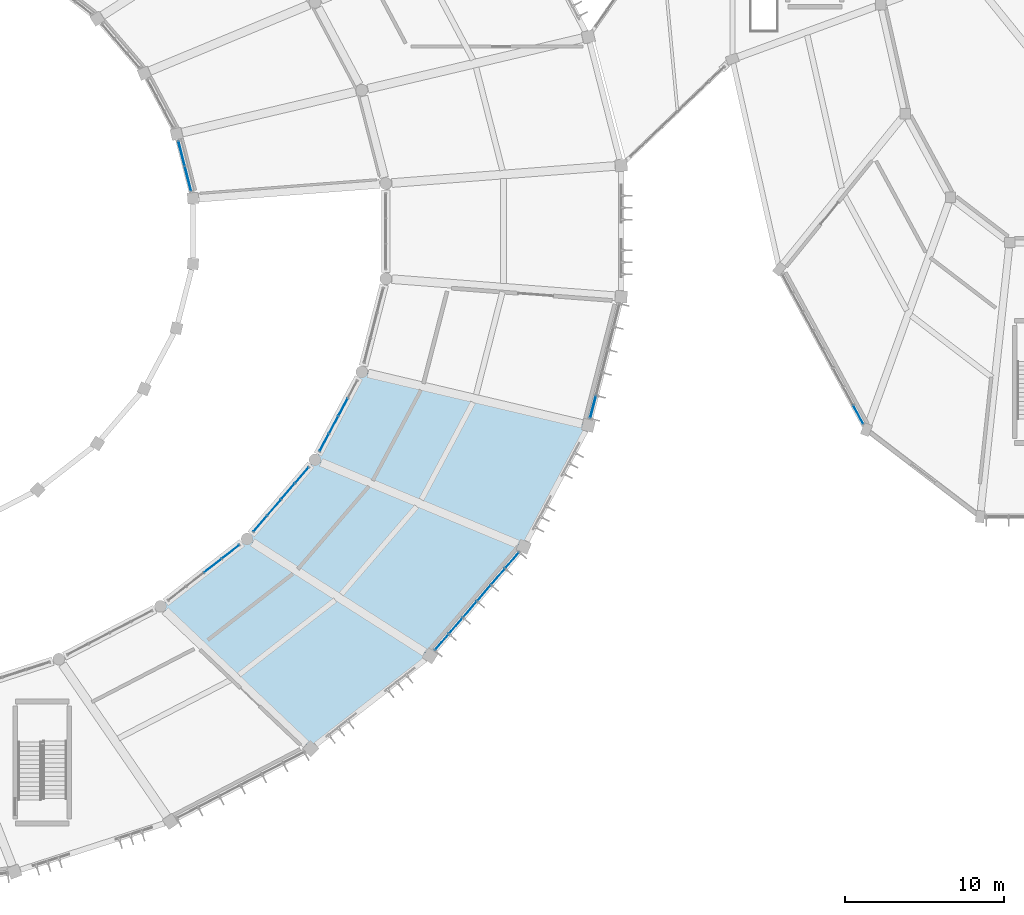
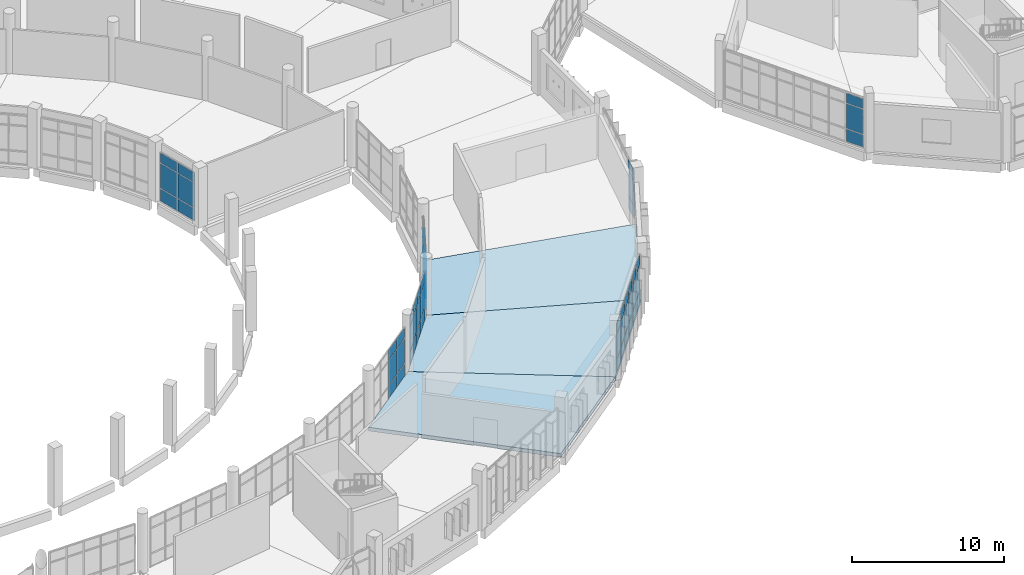
# One storey, part 97 of 179: 57 plates, 3 slabs, 7 elements without a shape of their own.
"""IFC4 building model written with IfcOpenShell, lengths in metres."""

from ifc_helpers import new_model, si_unit, direction, frame, origin, origin_2d, place, context, subcontext, project, spatial, polyline, rectangle, outline, extrude, material, layer, layer_set, type_object, element, aggregate, save


model = new_model("IFC4")

# Units and contexts
model_context = context("Model", 3, precision=1e-05, world=origin(), true_north=direction((0.0, 1.0)))
body_context = subcontext(model_context, "Body", "Model", "MODEL_VIEW")
ifc_project = project(units=[si_unit("LENGTHUNIT", "METRE"), si_unit("AREAUNIT", "SQUARE_METRE"), si_unit("VOLUMEUNIT", "CUBIC_METRE"), si_unit("PLANEANGLEUNIT", "RADIAN"), si_unit("MASSUNIT", "GRAM", prefix="KILO")], contexts=[model_context])

# Site, building, storey
site_placement = place(None, origin())
site = spatial("IfcSite", under=ifc_project, at=site_placement, CompositionType="ELEMENT")
building_placement = place(site_placement, origin())
building = spatial("IfcBuilding", under=site, at=building_placement, Name="Corvandel Quay Wholesale Market", CompositionType="ELEMENT")
storey_placement = place(building_placement, frame((0.0, 0.0, 6.0)))
storey = spatial("IfcBuildingStorey", under=building, at=storey_placement, Name="L01", CompositionType="ELEMENT", Elevation=6.0)

# Curtain wall, plates
ifc_material_1 = material(Name="Bronze anodised aluminium and low-E insulated glazing", Category="aluminium")
ifc_layer_1 = layer(ifc_material_1, 0.14990234375)
ifc_layer_set_1 = layer_set([ifc_layer_1], Name="Bronze anodised aluminium and low-E insulated glazing")
curtain_wall_type_1 = type_object("IfcCurtainWallType", Name="Stick Curtain Wall System CW15 H4350", PredefinedType="NOTDEFINED", material=ifc_layer_set_1)
curtain_wall_1_placement = place(storey_placement, origin())
curtain_wall_1 = element("IfcCurtainWall", 1, at=curtain_wall_1_placement, inside=storey, type_object=curtain_wall_type_1, Name="Curtain Wall CW-0001", PredefinedType="NOTDEFINED")
ifc_material_2 = material(Name="Solar-control low-E insulated glazing", Category="glass")
ifc_layer_2 = layer(ifc_material_2, 0.033935546875)
ifc_layer_set_2 = layer_set([ifc_layer_2], Name="Solar-control low-E insulated glazing")
plate_type_1 = type_object("IfcPlateType", Name="Acoustic Laminated Vision Panel PN02 34mm", PredefinedType="CURTAIN_PANEL", material=ifc_layer_set_2)
plate_1_placement = place(storey_placement, frame((140.68359375, 45.30517578125, 0.02978515625), z_axis=(0.0, 0.0, 1.0), x_axis=(-0.247844544316, 0.968799815159, 0.0)))
plate_1 = element("IfcPlate", 2, at=plate_1_placement, type_object=plate_type_1, Name="Glazing Panel CW-0001-P00-0", PredefinedType="CURTAIN_PANEL", context=body_context, shape_type="SweptSolid", body=[
    extrude(rectangle(XDim=1.56884765625, YDim=0.033935546875, at=origin_2d()), origin(), (0.0, 0.0, 1.0), 0.989990234375),
])
plate_2_placement = place(storey_placement, frame((140.68359375, 45.30517578125, 1.080078125), z_axis=(0.0, 0.0, 1.0), x_axis=(-0.247844544316, 0.968799815159, 0.0)))
plate_2 = element("IfcPlate", 3, at=plate_2_placement, type_object=plate_type_1, Name="Glazing Panel CW-0001-P00-1", PredefinedType="CURTAIN_PANEL", context=body_context, shape_type="SweptSolid", body=[
    extrude(rectangle(XDim=1.56884765625, YDim=0.033935546875, at=origin_2d()), origin(), (0.0, 0.0, 1.0), 1.989990234375),
])
plate_3_placement = place(storey_placement, frame((140.278564453125, 46.887939453125, 0.02978515625), z_axis=(0.0, 0.0, 1.0), x_axis=(-0.247844544316, 0.968799815159, 0.0)))
plate_3 = element("IfcPlate", 4, at=plate_3_placement, type_object=plate_type_1, Name="Glazing Panel CW-0001-P01-0", PredefinedType="CURTAIN_PANEL", context=body_context, shape_type="SweptSolid", body=[
    extrude(rectangle(XDim=1.56884765625, YDim=0.033935546875, at=origin_2d()), origin(), (0.0, 0.0, 1.0), 0.989990234375),
])
plate_4_placement = place(storey_placement, frame((140.278564453125, 46.887939453125, 1.080078125), z_axis=(0.0, 0.0, 1.0), x_axis=(-0.247844544316, 0.968799815159, 0.0)))
plate_4 = element("IfcPlate", 5, at=plate_4_placement, type_object=plate_type_1, Name="Glazing Panel CW-0001-P01-1", PredefinedType="CURTAIN_PANEL", context=body_context, shape_type="SweptSolid", body=[
    extrude(rectangle(XDim=1.56884765625, YDim=0.033935546875, at=origin_2d()), origin(), (0.0, 0.0, 1.0), 1.989990234375),
])
ifc_layer_3 = layer(ifc_material_2, 0.0400390625)
ifc_layer_set_3 = layer_set([ifc_layer_3], Name="Solar-control low-E insulated glazing")
plate_type_2 = type_object("IfcPlateType", Name="Ceramic Fritted Spandrel Panel PN03 40mm", PredefinedType="CURTAIN_PANEL", material=ifc_layer_set_3)
plate_5_placement = place(storey_placement, frame((140.68359375, 45.30517578125, 3.1298828125), z_axis=(0.0, 0.0, 1.0), x_axis=(-0.247844544316, 0.968799815159, 0.0)))
plate_5 = element("IfcPlate", 6, at=plate_5_placement, type_object=plate_type_2, Name="Glazing Panel CW-0001-P00-2", PredefinedType="CURTAIN_PANEL", context=body_context, shape_type="SweptSolid", body=[
    extrude(rectangle(XDim=1.56884765625, YDim=0.0400390625, at=origin_2d()), origin(), (0.0, 0.0, 1.0), 0.7900390625),
])
plate_6_placement = place(storey_placement, frame((140.278564453125, 46.887939453125, 3.1298828125), z_axis=(0.0, 0.0, 1.0), x_axis=(-0.247844544316, 0.968799815159, 0.0)))
plate_6 = element("IfcPlate", 7, at=plate_6_placement, type_object=plate_type_2, Name="Glazing Panel CW-0001-P01-2", PredefinedType="CURTAIN_PANEL", context=body_context, shape_type="SweptSolid", body=[
    extrude(rectangle(XDim=1.56884765625, YDim=0.0400390625, at=origin_2d()), origin(), (0.0, 0.0, 1.0), 0.7900390625),
])
aggregate(curtain_wall_1, [plate_1, plate_2, plate_5, plate_3, plate_4, plate_6])

ifc_layer_4 = layer(ifc_material_1, 0.18603515625)
ifc_layer_set_4 = layer_set([ifc_layer_4], Name="Bronze anodised aluminium and low-E insulated glazing")
curtain_wall_type_2 = type_object("IfcCurtainWallType", Name="Stick Curtain Wall System CW18 H4620", PredefinedType="NOTDEFINED", material=ifc_layer_set_4)
curtain_wall_2_placement = place(storey_placement, origin())
curtain_wall_2 = element("IfcCurtainWall", 8, at=curtain_wall_2_placement, inside=storey, type_object=curtain_wall_type_2, Name="Curtain Wall CW-0082", PredefinedType="NOTDEFINED")
plate_7_placement = place(storey_placement, frame((142.24658203125, 20.906494140625, 3.1298828125), z_axis=(0.0, 0.0, 1.0), x_axis=(0.789405615633, 0.613871952452, 0.0)))
plate_7 = element("IfcPlate", 9, at=plate_7_placement, type_object=plate_type_2, Name="Glazing Panel CW-0082-P02-2", PredefinedType="CURTAIN_PANEL", context=body_context, shape_type="SweptSolid", body=[
    extrude(rectangle(XDim=1.362060546875, YDim=0.0400390625, at=origin_2d()), origin(), (0.0, 0.0, 1.0), 0.7900390625),
])
plate_8_placement = place(storey_placement, frame((143.373291015625, 21.78271484375, 3.1298828125), z_axis=(0.0, 0.0, 1.0), x_axis=(0.789405615633, 0.613871952452, 0.0)))
plate_8 = element("IfcPlate", 10, at=plate_8_placement, type_object=plate_type_2, Name="Glazing Panel CW-0082-P03-2", PredefinedType="CURTAIN_PANEL", context=body_context, shape_type="SweptSolid", body=[
    extrude(rectangle(XDim=1.362060546875, YDim=0.0400390625, at=origin_2d()), origin(), (0.0, 0.0, 1.0), 0.7900390625),
])

ifc_layer_5 = layer(ifc_material_1, 0.14990234375)
ifc_layer_set_5 = layer_set([ifc_layer_5], Name="Bronze anodised aluminium and low-E insulated glazing")
curtain_wall_type_3 = type_object("IfcCurtainWallType", Name="Stick Curtain Wall System CW05 H3450", PredefinedType="NOTDEFINED", material=ifc_layer_set_5)
curtain_wall_3_placement = place(storey_placement, origin())
curtain_wall_3 = element("IfcCurtainWall", 11, at=curtain_wall_3_placement, inside=storey, type_object=curtain_wall_type_3, Name="Curtain Wall CW-0085", PredefinedType="NOTDEFINED")
plate_9_placement = place(storey_placement, frame((156.681640625, 16.084716796875, 3.1298828125), z_axis=(0.0, 0.0, 1.0), x_axis=(0.651568967347, 0.758589401976, 0.0)))
plate_9 = element("IfcPlate", 12, at=plate_9_placement, type_object=plate_type_2, Name="Glazing Panel CW-0085-P00-2", PredefinedType="CURTAIN_PANEL", context=body_context, shape_type="SweptSolid", body=[
    extrude(rectangle(XDim=1.29638671875, YDim=0.0400390625, at=origin_2d()), origin(), (0.0, 0.0, 1.0), 0.7900390625),
])
plate_10_placement = place(storey_placement, frame((157.56884765625, 17.117431640625, 3.1298828125), z_axis=(0.0, 0.0, 1.0), x_axis=(0.651568967347, 0.758589401976, 0.0)))
plate_10 = element("IfcPlate", 13, at=plate_10_placement, type_object=plate_type_2, Name="Glazing Panel CW-0085-P01-2", PredefinedType="CURTAIN_PANEL", context=body_context, shape_type="SweptSolid", body=[
    extrude(rectangle(XDim=1.29638671875, YDim=0.0400390625, at=origin_2d()), origin(), (0.0, 0.0, 1.0), 0.7900390625),
])
plate_11_placement = place(storey_placement, frame((158.4560546875, 18.150146484375, 3.1298828125), z_axis=(0.0, 0.0, 1.0), x_axis=(0.651568967347, 0.758589401976, 0.0)))
plate_11 = element("IfcPlate", 14, at=plate_11_placement, type_object=plate_type_2, Name="Glazing Panel CW-0085-P02-2", PredefinedType="CURTAIN_PANEL", context=body_context, shape_type="SweptSolid", body=[
    extrude(rectangle(XDim=1.29638671875, YDim=0.0400390625, at=origin_2d()), origin(), (0.0, 0.0, 1.0), 0.7900390625),
])
plate_12_placement = place(storey_placement, frame((159.343017578125, 19.182861328125, 3.1298828125), z_axis=(0.0, 0.0, 1.0), x_axis=(0.651568967347, 0.758589401976, 0.0)))
plate_12 = element("IfcPlate", 15, at=plate_12_placement, type_object=plate_type_2, Name="Glazing Panel CW-0085-P03-2", PredefinedType="CURTAIN_PANEL", context=body_context, shape_type="SweptSolid", body=[
    extrude(rectangle(XDim=1.29638671875, YDim=0.0400390625, at=origin_2d()), origin(), (0.0, 0.0, 1.0), 0.7900390625),
])
plate_13_placement = place(storey_placement, frame((160.230224609375, 20.215576171875, 3.1298828125), z_axis=(0.0, 0.0, 1.0), x_axis=(0.651568967347, 0.758589401976, 0.0)))
plate_13 = element("IfcPlate", 16, at=plate_13_placement, type_object=plate_type_2, Name="Glazing Panel CW-0085-P04-2", PredefinedType="CURTAIN_PANEL", context=body_context, shape_type="SweptSolid", body=[
    extrude(rectangle(XDim=1.29638671875, YDim=0.0400390625, at=origin_2d()), origin(), (0.0, 0.0, 1.0), 0.7900390625),
])
plate_14_placement = place(storey_placement, frame((161.1171875, 21.248291015625, 3.1298828125), z_axis=(0.0, 0.0, 1.0), x_axis=(0.651568967347, 0.758589401976, 0.0)))
plate_14 = element("IfcPlate", 17, at=plate_14_placement, type_object=plate_type_2, Name="Glazing Panel CW-0085-P05-2", PredefinedType="CURTAIN_PANEL", context=body_context, shape_type="SweptSolid", body=[
    extrude(rectangle(XDim=1.29638671875, YDim=0.0400390625, at=origin_2d()), origin(), (0.0, 0.0, 1.0), 0.7900390625),
])

ifc_layer_6 = layer(ifc_material_1, 0.197998046875)
ifc_layer_set_6 = layer_set([ifc_layer_6], Name="Bronze anodised aluminium and low-E insulated glazing")
curtain_wall_type_4 = type_object("IfcCurtainWallType", Name="Stick Curtain Wall System CW19 H4710", PredefinedType="NOTDEFINED", material=ifc_layer_set_6)
curtain_wall_4_placement = place(storey_placement, origin())
curtain_wall_4 = element("IfcCurtainWall", 18, at=curtain_wall_4_placement, inside=storey, type_object=curtain_wall_type_4, Name="Curtain Wall CW-0086", PredefinedType="NOTDEFINED")
plate_15_placement = place(storey_placement, frame((145.23876953125, 23.5537109375, 3.1298828125), z_axis=(0.0, 0.0, 1.0), x_axis=(0.651568967347, 0.758589401976, 0.0)))
plate_15 = element("IfcPlate", 19, at=plate_15_placement, type_object=plate_type_2, Name="Glazing Panel CW-0086-P00-2", PredefinedType="CURTAIN_PANEL", context=body_context, shape_type="SweptSolid", body=[
    extrude(rectangle(XDim=1.27880859375, YDim=0.0400390625, at=origin_2d()), origin(), (0.0, 0.0, 1.0), 0.7900390625),
])
plate_16_placement = place(storey_placement, frame((146.1142578125, 24.5732421875, 3.1298828125), z_axis=(0.0, 0.0, 1.0), x_axis=(0.651568967347, 0.758589401976, 0.0)))
plate_16 = element("IfcPlate", 20, at=plate_16_placement, type_object=plate_type_2, Name="Glazing Panel CW-0086-P01-2", PredefinedType="CURTAIN_PANEL", context=body_context, shape_type="SweptSolid", body=[
    extrude(rectangle(XDim=1.27880859375, YDim=0.0400390625, at=origin_2d()), origin(), (0.0, 0.0, 1.0), 0.7900390625),
])
plate_17_placement = place(storey_placement, frame((146.98974609375, 25.5927734375, 3.1298828125), z_axis=(0.0, 0.0, 1.0), x_axis=(0.651568967347, 0.758589401976, 0.0)))
plate_17 = element("IfcPlate", 21, at=plate_17_placement, type_object=plate_type_2, Name="Glazing Panel CW-0086-P02-2", PredefinedType="CURTAIN_PANEL", context=body_context, shape_type="SweptSolid", body=[
    extrude(rectangle(XDim=1.27880859375, YDim=0.0400390625, at=origin_2d()), origin(), (0.0, 0.0, 1.0), 0.7900390625),
])
plate_18_placement = place(storey_placement, frame((147.865234375, 26.6123046875, 3.1298828125), z_axis=(0.0, 0.0, 1.0), x_axis=(0.651568967347, 0.758589401976, 0.0)))
plate_18 = element("IfcPlate", 22, at=plate_18_placement, type_object=plate_type_2, Name="Glazing Panel CW-0086-P03-2", PredefinedType="CURTAIN_PANEL", context=body_context, shape_type="SweptSolid", body=[
    extrude(rectangle(XDim=1.27880859375, YDim=0.0400390625, at=origin_2d()), origin(), (0.0, 0.0, 1.0), 0.7900390625),
])

ifc_layer_7 = layer(ifc_material_1, 0.14990234375)
ifc_layer_set_7 = layer_set([ifc_layer_7], Name="Bronze anodised aluminium and low-E insulated glazing")
curtain_wall_type_5 = type_object("IfcCurtainWallType", Name="Stick Curtain Wall System CW20 H4800", PredefinedType="NOTDEFINED", material=ifc_layer_set_7)
curtain_wall_5_placement = place(storey_placement, origin())
curtain_wall_5 = element("IfcCurtainWall", 23, at=curtain_wall_5_placement, inside=storey, type_object=curtain_wall_type_5, Name="Curtain Wall CW-0087", PredefinedType="NOTDEFINED")
plate_19_placement = place(storey_placement, frame((149.2744140625, 28.666748046875, 3.1298828125), z_axis=(0.0, 0.0, 1.0), x_axis=(0.470087862033, 0.882619624736, 0.0)))
plate_19 = element("IfcPlate", 24, at=plate_19_placement, type_object=plate_type_2, Name="Glazing Panel CW-0087-P00-2", PredefinedType="CURTAIN_PANEL", context=body_context, shape_type="SweptSolid", body=[
    extrude(rectangle(XDim=1.20458984375, YDim=0.0400390625, at=origin_2d()), origin(), (0.0, 0.0, 1.0), 0.7900390625),
])
plate_20_placement = place(storey_placement, frame((149.87109375, 29.787353515625, 3.1298828125), z_axis=(0.0, 0.0, 1.0), x_axis=(0.470087862033, 0.882619624736, 0.0)))
plate_20 = element("IfcPlate", 25, at=plate_20_placement, type_object=plate_type_2, Name="Glazing Panel CW-0087-P01-2", PredefinedType="CURTAIN_PANEL", context=body_context, shape_type="SweptSolid", body=[
    extrude(rectangle(XDim=1.20458984375, YDim=0.0400390625, at=origin_2d()), origin(), (0.0, 0.0, 1.0), 0.7900390625),
])
plate_21_placement = place(storey_placement, frame((150.468017578125, 30.90771484375, 3.1298828125), z_axis=(0.0, 0.0, 1.0), x_axis=(0.470087862033, 0.882619624736, 0.0)))
plate_21 = element("IfcPlate", 26, at=plate_21_placement, type_object=plate_type_2, Name="Glazing Panel CW-0087-P02-2", PredefinedType="CURTAIN_PANEL", context=body_context, shape_type="SweptSolid", body=[
    extrude(rectangle(XDim=1.20458984375, YDim=0.0400390625, at=origin_2d()), origin(), (0.0, 0.0, 1.0), 0.7900390625),
])

# Curtain wall, plate
ifc_layer_8 = layer(ifc_material_1, 0.174072265625)
ifc_layer_set_8 = layer_set([ifc_layer_8], Name="Bronze anodised aluminium and low-E insulated glazing")
curtain_wall_type_6 = type_object("IfcCurtainWallType", Name="Stick Curtain Wall System CW07 H3630", PredefinedType="NOTDEFINED", material=ifc_layer_set_8)
curtain_wall_6_placement = place(storey_placement, origin())
curtain_wall_6 = element("IfcCurtainWall", 27, at=curtain_wall_6_placement, inside=storey, type_object=curtain_wall_type_6, Name="Curtain Wall CW-0088", PredefinedType="NOTDEFINED")
plate_22_placement = place(storey_placement, frame((166.2216796875, 30.9091796875, 3.1298828125), z_axis=(0.0, 0.0, 1.0), x_axis=(0.247675453076, 0.968843057437, 0.0)))
plate_22 = element("IfcPlate", 28, at=plate_22_placement, type_object=plate_type_2, Name="Glazing Panel CW-0088-P00-2", PredefinedType="CURTAIN_PANEL", context=body_context, shape_type="SweptSolid", body=[
    extrude(rectangle(XDim=1.429931640625, YDim=0.0400390625, at=origin_2d()), origin(), (0.0, 0.0, 1.0), 0.7900390625),
])

curtain_wall_7_placement = place(storey_placement, origin())
curtain_wall_7 = element("IfcCurtainWall", 29, at=curtain_wall_7_placement, inside=storey, type_object=curtain_wall_type_4, Name="Curtain Wall CW-0137", PredefinedType="NOTDEFINED")
plate_23_placement = place(storey_placement, frame((182.944580078125, 30.421630859375, 3.1298828125), z_axis=(0.0, 0.0, 1.0), x_axis=(-0.476238203668, 0.879316310191, 0.0)))
plate_23 = element("IfcPlate", 30, at=plate_23_placement, type_object=plate_type_2, Name="Glazing Panel CW-0137-P07-2", PredefinedType="CURTAIN_PANEL", context=body_context, shape_type="SweptSolid", body=[
    extrude(rectangle(XDim=1.274658203125, YDim=0.0400390625, at=origin_2d()), origin(), (0.0, 0.0, 1.0), 0.7900390625),
])

# Slabs
ifc_material_3 = material(Name="Concrete C40/50", Category="concrete")
ifc_layer_9 = layer(ifc_material_3, 0.300048828125)
ifc_layer_set_9 = layer_set([ifc_layer_9], Name="Concrete C40/50")
slab_type = type_object("IfcSlabType", Name="Composite Trading Gallery Floor Slab 300", PredefinedType="FLOOR", material=ifc_layer_set_9)
slab_1_placement = place(storey_placement, frame((0.0, 0.0, -0.300048828125)))
element("IfcSlab", 31, at=slab_1_placement, inside=storey, type_object=slab_type, Name="Slab SLB-0128", PredefinedType="FLOOR", context=body_context, shape_type="SweptSolid", body=[
    extrude(outline(polyline([(138.95703125, 18.347900390625), (144.409912109375, 22.589111328125), (155.945068359375, 15.22705078125), (148.423095703125, 9.3759765625), (138.95703125, 18.347900390625)])), origin(), (0.0, 0.0, 1.0), 0.300048828125),
])
slab_2_placement = place(storey_placement, frame((0.0, 0.0, -0.300048828125)))
element("IfcSlab", 32, at=slab_2_placement, inside=storey, type_object=slab_type, Name="Slab SLB-0132", PredefinedType="FLOOR", context=body_context, shape_type="SweptSolid", body=[
    extrude(outline(polyline([(144.409912109375, 22.589111328125), (148.694091796875, 27.576904296875), (161.85400390625, 22.10595703125), (155.945068359375, 15.22705078125), (144.409912109375, 22.589111328125)])), origin(), (0.0, 0.0, 1.0), 0.300048828125),
])
slab_3_placement = place(storey_placement, frame((0.0, 0.0, -0.300048828125)))
element("IfcSlab", 33, at=slab_3_placement, inside=storey, type_object=slab_type, Name="Slab SLB-0135", PredefinedType="FLOOR", context=body_context, shape_type="SweptSolid", body=[
    extrude(outline(polyline([(148.694091796875, 27.576904296875), (151.64501953125, 33.117919921875), (165.925048828125, 29.7490234375), (161.85400390625, 22.10595703125), (148.694091796875, 27.576904296875)])), origin(), (0.0, 0.0, 1.0), 0.300048828125),
])

# Plate
ifc_layer_10 = layer(ifc_material_2, 0.028076171875)
ifc_layer_set_10 = layer_set([ifc_layer_10], Name="Solar-control low-E insulated glazing")
plate_type_3 = type_object("IfcPlateType", Name="Double Low-E Vision Panel PN01 28mm", PredefinedType="CURTAIN_PANEL", material=ifc_layer_set_10)
plate_24_placement = place(storey_placement, frame((142.24658203125, 20.906494140625, 0.02978515625), z_axis=(0.0, 0.0, 1.0), x_axis=(0.789405615633, 0.613871952452, 0.0)))
plate_24 = element("IfcPlate", 34, at=plate_24_placement, type_object=plate_type_3, Name="Glazing Panel CW-0082-P02-0", PredefinedType="CURTAIN_PANEL", context=body_context, shape_type="SweptSolid", body=[
    extrude(rectangle(XDim=1.362060546875, YDim=0.028076171875, at=origin_2d()), origin(), (0.0, 0.0, 1.0), 0.989990234375),
])

plate_25_placement = place(storey_placement, frame((142.24658203125, 20.906494140625, 1.080078125), z_axis=(0.0, 0.0, 1.0), x_axis=(0.789405615633, 0.613871952452, 0.0)))
plate_25 = element("IfcPlate", 35, at=plate_25_placement, type_object=plate_type_3, Name="Glazing Panel CW-0082-P02-1", PredefinedType="CURTAIN_PANEL", context=body_context, shape_type="SweptSolid", body=[
    extrude(rectangle(XDim=1.362060546875, YDim=0.028076171875, at=origin_2d()), origin(), (0.0, 0.0, 1.0), 1.989990234375),
])

plate_26_placement = place(storey_placement, frame((143.373291015625, 21.78271484375, 0.02978515625), z_axis=(0.0, 0.0, 1.0), x_axis=(0.789405615633, 0.613871952452, 0.0)))
plate_26 = element("IfcPlate", 36, at=plate_26_placement, type_object=plate_type_3, Name="Glazing Panel CW-0082-P03-0", PredefinedType="CURTAIN_PANEL", context=body_context, shape_type="SweptSolid", body=[
    extrude(rectangle(XDim=1.362060546875, YDim=0.028076171875, at=origin_2d()), origin(), (0.0, 0.0, 1.0), 0.989990234375),
])

plate_27_placement = place(storey_placement, frame((143.373291015625, 21.78271484375, 1.080078125), z_axis=(0.0, 0.0, 1.0), x_axis=(0.789405615633, 0.613871952452, 0.0)))
plate_27 = element("IfcPlate", 37, at=plate_27_placement, type_object=plate_type_3, Name="Glazing Panel CW-0082-P03-1", PredefinedType="CURTAIN_PANEL", context=body_context, shape_type="SweptSolid", body=[
    extrude(rectangle(XDim=1.362060546875, YDim=0.028076171875, at=origin_2d()), origin(), (0.0, 0.0, 1.0), 1.989990234375),
])

aggregate(curtain_wall_2, [plate_24, plate_25, plate_7, plate_26, plate_27, plate_8])

plate_28_placement = place(storey_placement, frame((156.681640625, 16.084716796875, 0.02978515625), z_axis=(0.0, 0.0, 1.0), x_axis=(0.651568967347, 0.758589401976, 0.0)))
plate_28 = element("IfcPlate", 38, at=plate_28_placement, type_object=plate_type_3, Name="Glazing Panel CW-0085-P00-0", PredefinedType="CURTAIN_PANEL", context=body_context, shape_type="SweptSolid", body=[
    extrude(rectangle(XDim=1.29638671875, YDim=0.028076171875, at=origin_2d()), origin(), (0.0, 0.0, 1.0), 0.989990234375),
])

plate_29_placement = place(storey_placement, frame((156.681640625, 16.084716796875, 1.080078125), z_axis=(0.0, 0.0, 1.0), x_axis=(0.651568967347, 0.758589401976, 0.0)))
plate_29 = element("IfcPlate", 39, at=plate_29_placement, type_object=plate_type_3, Name="Glazing Panel CW-0085-P00-1", PredefinedType="CURTAIN_PANEL", context=body_context, shape_type="SweptSolid", body=[
    extrude(rectangle(XDim=1.29638671875, YDim=0.028076171875, at=origin_2d()), origin(), (0.0, 0.0, 1.0), 1.989990234375),
])

plate_30_placement = place(storey_placement, frame((157.56884765625, 17.117431640625, 0.02978515625), z_axis=(0.0, 0.0, 1.0), x_axis=(0.651568967347, 0.758589401976, 0.0)))
plate_30 = element("IfcPlate", 40, at=plate_30_placement, type_object=plate_type_3, Name="Glazing Panel CW-0085-P01-0", PredefinedType="CURTAIN_PANEL", context=body_context, shape_type="SweptSolid", body=[
    extrude(rectangle(XDim=1.29638671875, YDim=0.028076171875, at=origin_2d()), origin(), (0.0, 0.0, 1.0), 0.989990234375),
])

plate_31_placement = place(storey_placement, frame((157.56884765625, 17.117431640625, 1.080078125), z_axis=(0.0, 0.0, 1.0), x_axis=(0.651568967347, 0.758589401976, 0.0)))
plate_31 = element("IfcPlate", 41, at=plate_31_placement, type_object=plate_type_3, Name="Glazing Panel CW-0085-P01-1", PredefinedType="CURTAIN_PANEL", context=body_context, shape_type="SweptSolid", body=[
    extrude(rectangle(XDim=1.29638671875, YDim=0.028076171875, at=origin_2d()), origin(), (0.0, 0.0, 1.0), 1.989990234375),
])

plate_32_placement = place(storey_placement, frame((158.4560546875, 18.150146484375, 0.02978515625), z_axis=(0.0, 0.0, 1.0), x_axis=(0.651568967347, 0.758589401976, 0.0)))
plate_32 = element("IfcPlate", 42, at=plate_32_placement, type_object=plate_type_3, Name="Glazing Panel CW-0085-P02-0", PredefinedType="CURTAIN_PANEL", context=body_context, shape_type="SweptSolid", body=[
    extrude(rectangle(XDim=1.29638671875, YDim=0.028076171875, at=origin_2d()), origin(), (0.0, 0.0, 1.0), 0.989990234375),
])

plate_33_placement = place(storey_placement, frame((158.4560546875, 18.150146484375, 1.080078125), z_axis=(0.0, 0.0, 1.0), x_axis=(0.651568967347, 0.758589401976, 0.0)))
plate_33 = element("IfcPlate", 43, at=plate_33_placement, type_object=plate_type_3, Name="Glazing Panel CW-0085-P02-1", PredefinedType="CURTAIN_PANEL", context=body_context, shape_type="SweptSolid", body=[
    extrude(rectangle(XDim=1.29638671875, YDim=0.028076171875, at=origin_2d()), origin(), (0.0, 0.0, 1.0), 1.989990234375),
])

plate_34_placement = place(storey_placement, frame((159.343017578125, 19.182861328125, 0.02978515625), z_axis=(0.0, 0.0, 1.0), x_axis=(0.651568967347, 0.758589401976, 0.0)))
plate_34 = element("IfcPlate", 44, at=plate_34_placement, type_object=plate_type_3, Name="Glazing Panel CW-0085-P03-0", PredefinedType="CURTAIN_PANEL", context=body_context, shape_type="SweptSolid", body=[
    extrude(rectangle(XDim=1.29638671875, YDim=0.028076171875, at=origin_2d()), origin(), (0.0, 0.0, 1.0), 0.989990234375),
])

plate_35_placement = place(storey_placement, frame((159.343017578125, 19.182861328125, 1.080078125), z_axis=(0.0, 0.0, 1.0), x_axis=(0.651568967347, 0.758589401976, 0.0)))
plate_35 = element("IfcPlate", 45, at=plate_35_placement, type_object=plate_type_3, Name="Glazing Panel CW-0085-P03-1", PredefinedType="CURTAIN_PANEL", context=body_context, shape_type="SweptSolid", body=[
    extrude(rectangle(XDim=1.29638671875, YDim=0.028076171875, at=origin_2d()), origin(), (0.0, 0.0, 1.0), 1.989990234375),
])

plate_36_placement = place(storey_placement, frame((160.230224609375, 20.215576171875, 0.02978515625), z_axis=(0.0, 0.0, 1.0), x_axis=(0.651568967347, 0.758589401976, 0.0)))
plate_36 = element("IfcPlate", 46, at=plate_36_placement, type_object=plate_type_3, Name="Glazing Panel CW-0085-P04-0", PredefinedType="CURTAIN_PANEL", context=body_context, shape_type="SweptSolid", body=[
    extrude(rectangle(XDim=1.29638671875, YDim=0.028076171875, at=origin_2d()), origin(), (0.0, 0.0, 1.0), 0.989990234375),
])

plate_37_placement = place(storey_placement, frame((160.230224609375, 20.215576171875, 1.080078125), z_axis=(0.0, 0.0, 1.0), x_axis=(0.651568967347, 0.758589401976, 0.0)))
plate_37 = element("IfcPlate", 47, at=plate_37_placement, type_object=plate_type_3, Name="Glazing Panel CW-0085-P04-1", PredefinedType="CURTAIN_PANEL", context=body_context, shape_type="SweptSolid", body=[
    extrude(rectangle(XDim=1.29638671875, YDim=0.028076171875, at=origin_2d()), origin(), (0.0, 0.0, 1.0), 1.989990234375),
])

plate_38_placement = place(storey_placement, frame((161.1171875, 21.248291015625, 0.02978515625), z_axis=(0.0, 0.0, 1.0), x_axis=(0.651568967347, 0.758589401976, 0.0)))
plate_38 = element("IfcPlate", 48, at=plate_38_placement, type_object=plate_type_3, Name="Glazing Panel CW-0085-P05-0", PredefinedType="CURTAIN_PANEL", context=body_context, shape_type="SweptSolid", body=[
    extrude(rectangle(XDim=1.29638671875, YDim=0.028076171875, at=origin_2d()), origin(), (0.0, 0.0, 1.0), 0.989990234375),
])

plate_39_placement = place(storey_placement, frame((161.1171875, 21.248291015625, 1.080078125), z_axis=(0.0, 0.0, 1.0), x_axis=(0.651568967347, 0.758589401976, 0.0)))
plate_39 = element("IfcPlate", 49, at=plate_39_placement, type_object=plate_type_3, Name="Glazing Panel CW-0085-P05-1", PredefinedType="CURTAIN_PANEL", context=body_context, shape_type="SweptSolid", body=[
    extrude(rectangle(XDim=1.29638671875, YDim=0.028076171875, at=origin_2d()), origin(), (0.0, 0.0, 1.0), 1.989990234375),
])

aggregate(curtain_wall_3, [plate_28, plate_29, plate_9, plate_30, plate_31, plate_10, plate_32, plate_33, plate_11, plate_34, plate_35, plate_12, plate_36, plate_37, plate_13, plate_38, plate_39, plate_14])

plate_40_placement = place(storey_placement, frame((145.23876953125, 23.5537109375, 0.02978515625), z_axis=(0.0, 0.0, 1.0), x_axis=(0.651568967347, 0.758589401976, 0.0)))
plate_40 = element("IfcPlate", 50, at=plate_40_placement, type_object=plate_type_3, Name="Glazing Panel CW-0086-P00-0", PredefinedType="CURTAIN_PANEL", context=body_context, shape_type="SweptSolid", body=[
    extrude(rectangle(XDim=1.27880859375, YDim=0.028076171875, at=origin_2d()), origin(), (0.0, 0.0, 1.0), 0.989990234375),
])

plate_41_placement = place(storey_placement, frame((145.23876953125, 23.5537109375, 1.080078125), z_axis=(0.0, 0.0, 1.0), x_axis=(0.651568967347, 0.758589401976, 0.0)))
plate_41 = element("IfcPlate", 51, at=plate_41_placement, type_object=plate_type_3, Name="Glazing Panel CW-0086-P00-1", PredefinedType="CURTAIN_PANEL", context=body_context, shape_type="SweptSolid", body=[
    extrude(rectangle(XDim=1.27880859375, YDim=0.028076171875, at=origin_2d()), origin(), (0.0, 0.0, 1.0), 1.989990234375),
])

plate_42_placement = place(storey_placement, frame((146.1142578125, 24.5732421875, 0.02978515625), z_axis=(0.0, 0.0, 1.0), x_axis=(0.651568967347, 0.758589401976, 0.0)))
plate_42 = element("IfcPlate", 52, at=plate_42_placement, type_object=plate_type_3, Name="Glazing Panel CW-0086-P01-0", PredefinedType="CURTAIN_PANEL", context=body_context, shape_type="SweptSolid", body=[
    extrude(rectangle(XDim=1.27880859375, YDim=0.028076171875, at=origin_2d()), origin(), (0.0, 0.0, 1.0), 0.989990234375),
])

plate_43_placement = place(storey_placement, frame((146.1142578125, 24.5732421875, 1.080078125), z_axis=(0.0, 0.0, 1.0), x_axis=(0.651568967347, 0.758589401976, 0.0)))
plate_43 = element("IfcPlate", 53, at=plate_43_placement, type_object=plate_type_3, Name="Glazing Panel CW-0086-P01-1", PredefinedType="CURTAIN_PANEL", context=body_context, shape_type="SweptSolid", body=[
    extrude(rectangle(XDim=1.27880859375, YDim=0.028076171875, at=origin_2d()), origin(), (0.0, 0.0, 1.0), 1.989990234375),
])

plate_44_placement = place(storey_placement, frame((146.98974609375, 25.5927734375, 0.02978515625), z_axis=(0.0, 0.0, 1.0), x_axis=(0.651568967347, 0.758589401976, 0.0)))
plate_44 = element("IfcPlate", 54, at=plate_44_placement, type_object=plate_type_3, Name="Glazing Panel CW-0086-P02-0", PredefinedType="CURTAIN_PANEL", context=body_context, shape_type="SweptSolid", body=[
    extrude(rectangle(XDim=1.27880859375, YDim=0.028076171875, at=origin_2d()), origin(), (0.0, 0.0, 1.0), 0.989990234375),
])

plate_45_placement = place(storey_placement, frame((146.98974609375, 25.5927734375, 1.080078125), z_axis=(0.0, 0.0, 1.0), x_axis=(0.651568967347, 0.758589401976, 0.0)))
plate_45 = element("IfcPlate", 55, at=plate_45_placement, type_object=plate_type_3, Name="Glazing Panel CW-0086-P02-1", PredefinedType="CURTAIN_PANEL", context=body_context, shape_type="SweptSolid", body=[
    extrude(rectangle(XDim=1.27880859375, YDim=0.028076171875, at=origin_2d()), origin(), (0.0, 0.0, 1.0), 1.989990234375),
])

plate_46_placement = place(storey_placement, frame((147.865234375, 26.6123046875, 0.02978515625), z_axis=(0.0, 0.0, 1.0), x_axis=(0.651568967347, 0.758589401976, 0.0)))
plate_46 = element("IfcPlate", 56, at=plate_46_placement, type_object=plate_type_3, Name="Glazing Panel CW-0086-P03-0", PredefinedType="CURTAIN_PANEL", context=body_context, shape_type="SweptSolid", body=[
    extrude(rectangle(XDim=1.27880859375, YDim=0.028076171875, at=origin_2d()), origin(), (0.0, 0.0, 1.0), 0.989990234375),
])

plate_47_placement = place(storey_placement, frame((147.865234375, 26.6123046875, 1.080078125), z_axis=(0.0, 0.0, 1.0), x_axis=(0.651568967347, 0.758589401976, 0.0)))
plate_47 = element("IfcPlate", 57, at=plate_47_placement, type_object=plate_type_3, Name="Glazing Panel CW-0086-P03-1", PredefinedType="CURTAIN_PANEL", context=body_context, shape_type="SweptSolid", body=[
    extrude(rectangle(XDim=1.27880859375, YDim=0.028076171875, at=origin_2d()), origin(), (0.0, 0.0, 1.0), 1.989990234375),
])

aggregate(curtain_wall_4, [plate_40, plate_41, plate_15, plate_42, plate_43, plate_16, plate_44, plate_45, plate_17, plate_46, plate_47, plate_18])

plate_48_placement = place(storey_placement, frame((149.2744140625, 28.666748046875, 0.02978515625), z_axis=(0.0, 0.0, 1.0), x_axis=(0.470087862033, 0.882619624736, 0.0)))
plate_48 = element("IfcPlate", 58, at=plate_48_placement, type_object=plate_type_3, Name="Glazing Panel CW-0087-P00-0", PredefinedType="CURTAIN_PANEL", context=body_context, shape_type="SweptSolid", body=[
    extrude(rectangle(XDim=1.20458984375, YDim=0.028076171875, at=origin_2d()), origin(), (0.0, 0.0, 1.0), 0.989990234375),
])

plate_49_placement = place(storey_placement, frame((149.2744140625, 28.666748046875, 1.080078125), z_axis=(0.0, 0.0, 1.0), x_axis=(0.470087862033, 0.882619624736, 0.0)))
plate_49 = element("IfcPlate", 59, at=plate_49_placement, type_object=plate_type_3, Name="Glazing Panel CW-0087-P00-1", PredefinedType="CURTAIN_PANEL", context=body_context, shape_type="SweptSolid", body=[
    extrude(rectangle(XDim=1.20458984375, YDim=0.028076171875, at=origin_2d()), origin(), (0.0, 0.0, 1.0), 1.989990234375),
])

plate_50_placement = place(storey_placement, frame((149.87109375, 29.787353515625, 0.02978515625), z_axis=(0.0, 0.0, 1.0), x_axis=(0.470087862033, 0.882619624736, 0.0)))
plate_50 = element("IfcPlate", 60, at=plate_50_placement, type_object=plate_type_3, Name="Glazing Panel CW-0087-P01-0", PredefinedType="CURTAIN_PANEL", context=body_context, shape_type="SweptSolid", body=[
    extrude(rectangle(XDim=1.20458984375, YDim=0.028076171875, at=origin_2d()), origin(), (0.0, 0.0, 1.0), 0.989990234375),
])

plate_51_placement = place(storey_placement, frame((149.87109375, 29.787353515625, 1.080078125), z_axis=(0.0, 0.0, 1.0), x_axis=(0.470087862033, 0.882619624736, 0.0)))
plate_51 = element("IfcPlate", 61, at=plate_51_placement, type_object=plate_type_3, Name="Glazing Panel CW-0087-P01-1", PredefinedType="CURTAIN_PANEL", context=body_context, shape_type="SweptSolid", body=[
    extrude(rectangle(XDim=1.20458984375, YDim=0.028076171875, at=origin_2d()), origin(), (0.0, 0.0, 1.0), 1.989990234375),
])

plate_52_placement = place(storey_placement, frame((150.468017578125, 30.90771484375, 0.02978515625), z_axis=(0.0, 0.0, 1.0), x_axis=(0.470087862033, 0.882619624736, 0.0)))
plate_52 = element("IfcPlate", 62, at=plate_52_placement, type_object=plate_type_3, Name="Glazing Panel CW-0087-P02-0", PredefinedType="CURTAIN_PANEL", context=body_context, shape_type="SweptSolid", body=[
    extrude(rectangle(XDim=1.20458984375, YDim=0.028076171875, at=origin_2d()), origin(), (0.0, 0.0, 1.0), 0.989990234375),
])

plate_53_placement = place(storey_placement, frame((150.468017578125, 30.90771484375, 1.080078125), z_axis=(0.0, 0.0, 1.0), x_axis=(0.470087862033, 0.882619624736, 0.0)))
plate_53 = element("IfcPlate", 63, at=plate_53_placement, type_object=plate_type_3, Name="Glazing Panel CW-0087-P02-1", PredefinedType="CURTAIN_PANEL", context=body_context, shape_type="SweptSolid", body=[
    extrude(rectangle(XDim=1.20458984375, YDim=0.028076171875, at=origin_2d()), origin(), (0.0, 0.0, 1.0), 1.989990234375),
])

aggregate(curtain_wall_5, [plate_48, plate_49, plate_19, plate_50, plate_51, plate_20, plate_52, plate_53, plate_21])

plate_54_placement = place(storey_placement, frame((166.2216796875, 30.9091796875, 0.02978515625), z_axis=(0.0, 0.0, 1.0), x_axis=(0.247675453076, 0.968843057437, 0.0)))
plate_54 = element("IfcPlate", 64, at=plate_54_placement, type_object=plate_type_3, Name="Glazing Panel CW-0088-P00-0", PredefinedType="CURTAIN_PANEL", context=body_context, shape_type="SweptSolid", body=[
    extrude(rectangle(XDim=1.429931640625, YDim=0.028076171875, at=origin_2d()), origin(), (0.0, 0.0, 1.0), 0.989990234375),
])

plate_55_placement = place(storey_placement, frame((166.2216796875, 30.9091796875, 1.080078125), z_axis=(0.0, 0.0, 1.0), x_axis=(0.247675453076, 0.968843057437, 0.0)))
plate_55 = element("IfcPlate", 65, at=plate_55_placement, type_object=plate_type_3, Name="Glazing Panel CW-0088-P00-1", PredefinedType="CURTAIN_PANEL", context=body_context, shape_type="SweptSolid", body=[
    extrude(rectangle(XDim=1.429931640625, YDim=0.028076171875, at=origin_2d()), origin(), (0.0, 0.0, 1.0), 1.989990234375),
])

aggregate(curtain_wall_6, [plate_54, plate_55, plate_22])

plate_56_placement = place(storey_placement, frame((182.944580078125, 30.421630859375, 0.02978515625), z_axis=(0.0, 0.0, 1.0), x_axis=(-0.476238203668, 0.879316310191, 0.0)))
plate_56 = element("IfcPlate", 66, at=plate_56_placement, type_object=plate_type_3, Name="Glazing Panel CW-0137-P07-0", PredefinedType="CURTAIN_PANEL", context=body_context, shape_type="SweptSolid", body=[
    extrude(rectangle(XDim=1.274658203125, YDim=0.028076171875, at=origin_2d()), origin(), (0.0, 0.0, 1.0), 0.989990234375),
])

plate_57_placement = place(storey_placement, frame((182.944580078125, 30.421630859375, 1.080078125), z_axis=(0.0, 0.0, 1.0), x_axis=(-0.476238203668, 0.879316310191, 0.0)))
plate_57 = element("IfcPlate", 67, at=plate_57_placement, type_object=plate_type_3, Name="Glazing Panel CW-0137-P07-1", PredefinedType="CURTAIN_PANEL", context=body_context, shape_type="SweptSolid", body=[
    extrude(rectangle(XDim=1.274658203125, YDim=0.028076171875, at=origin_2d()), origin(), (0.0, 0.0, 1.0), 1.989990234375),
])

aggregate(curtain_wall_7, [plate_56, plate_57, plate_23])

save(model, "model.ifc")
